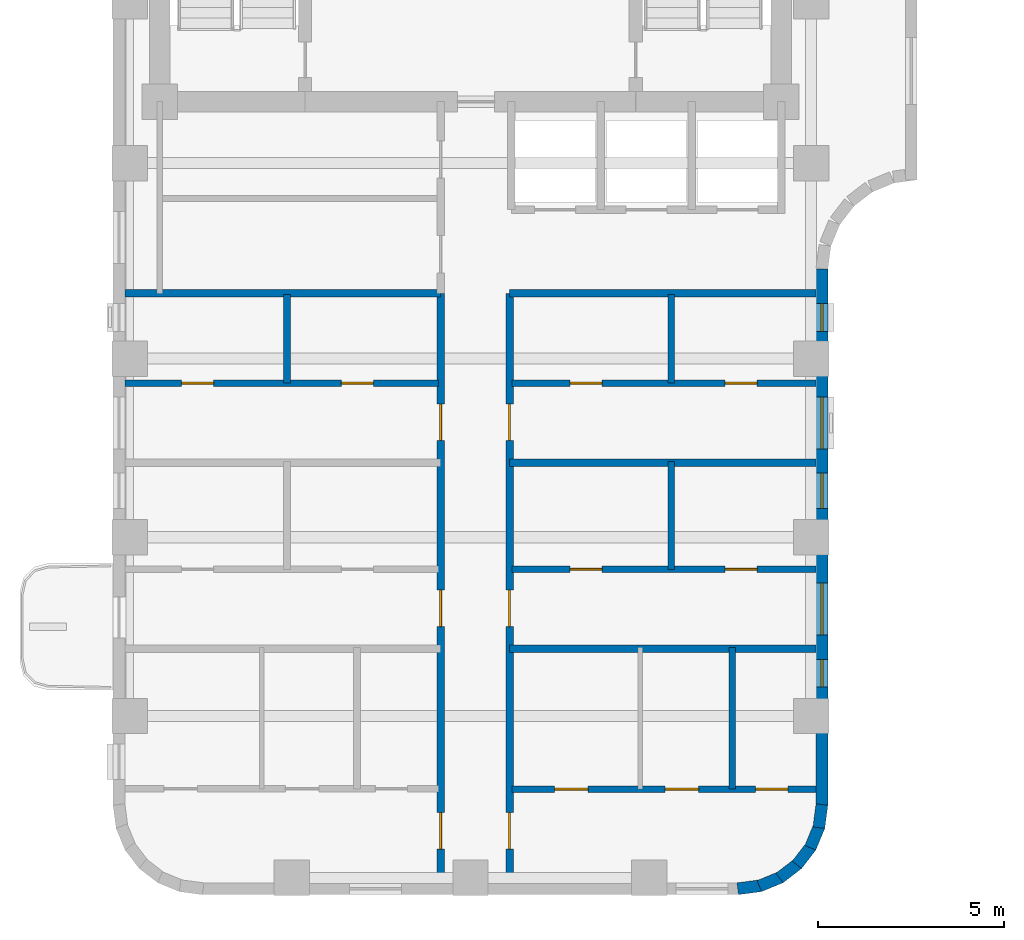
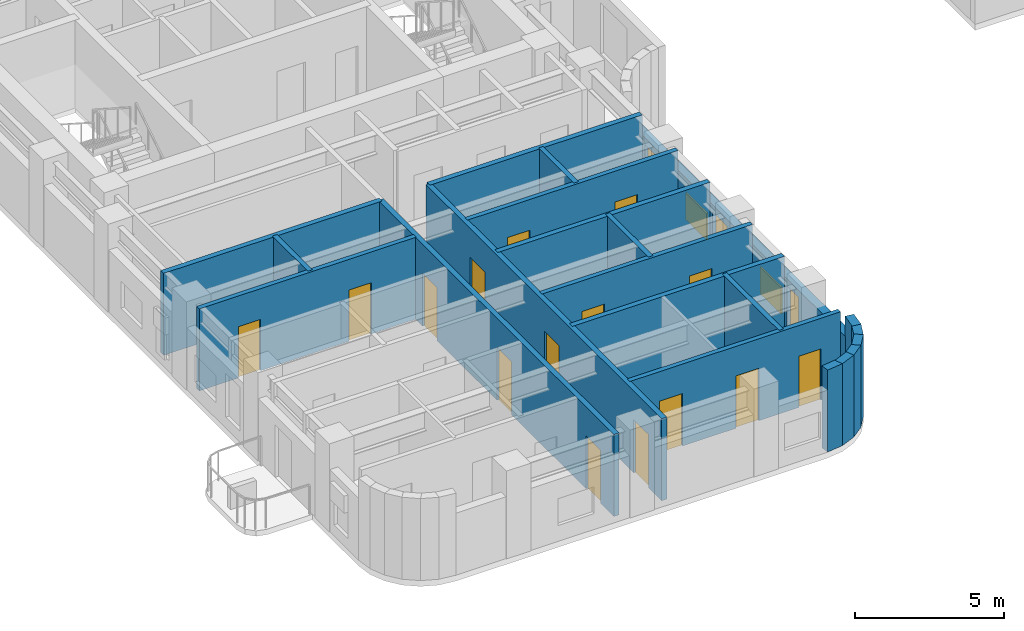
# One storey, part 4 of 11: 21 walls, 15 doors, 5 windows, 20 openings.
"""IFC4 building model written with IfcOpenShell, lengths in metres."""

import ifcopenshell
import ifcopenshell.guid

model = None  # the IFC model being written
_history = None  # IfcOwnerHistory: only IFC2X3 demands one
_inside = {}  # id of a spatial element -> (the spatial element, [elements in it])
_under = {}  # id of a project, library or spatial element -> (it, [spatial elements below it])
_declared = {}  # id of a project -> (the project, [libraries it declares])
_typed = {}  # id of a type object -> (the type object, [elements of that type])
_made_of = {}  # id of a material, layer set ... -> (it, [elements and type objects made of it])


def new_model(schema):
    """Start an empty IFC model of exactly this schema.

    Asked for "IFC4X3", IfcOpenShell would pick the latest addendum, in which some entities
    have other attributes; the version numbers below select the first issue.
    IFC2X3 requires an IfcOwnerHistory on every rooted entity: one is made here for all.
    """
    global model, _history
    if schema == "IFC4X3":
        model = ifcopenshell.file(schema_version=(4, 3, 0, 0))
    else:
        model = ifcopenshell.file(schema=schema)
    _inside.clear()
    _under.clear()
    _declared.clear()
    _typed.clear()
    _made_of.clear()
    _history = None
    if model.schema == "IFC2X3":
        org = make("IfcOrganization", Name="unknown")
        user = make(
            "IfcPersonAndOrganization",
            ThePerson=make("IfcPerson", FamilyName="unknown"),
            TheOrganization=org,
        )
        app = make(
            "IfcApplication",
            ApplicationDeveloper=org,
            Version="unknown",
            ApplicationFullName="unknown",
            ApplicationIdentifier="unknown",
        )
        _history = make(
            "IfcOwnerHistory",
            OwningUser=user,
            OwningApplication=app,
            ChangeAction="ADDED",
            CreationDate=0,
        )
    return model


def make(cls, **values):
    """One entity of the class cls with the attributes given. An attribute that is None is left unset."""
    return model.create_entity(
        cls, **{name: value for name, value in values.items() if value is not None}
    )


def rooted(cls, **values):
    """An entity with a GlobalId (a new one), such as an element, a storey or a relation."""
    return make(cls, GlobalId=ifcopenshell.guid.new(), OwnerHistory=_history, **values)


def si_unit(unit_type, name, prefix=None):
    """IfcSIUnit, for example si_unit("LENGTHUNIT", "METRE", prefix="MILLI")."""
    return make("IfcSIUnit", UnitType=unit_type, Prefix=prefix, Name=name)


def assignment(units):
    """IfcUnitAssignment: the units of a project."""
    return None if units is None else make("IfcUnitAssignment", Units=units)


def point(xyz):
    """IfcCartesianPoint."""
    return None if xyz is None else make("IfcCartesianPoint", Coordinates=xyz)


def direction(xyz):
    """IfcDirection."""
    return None if xyz is None else make("IfcDirection", DirectionRatios=xyz)


def frame(location, z_axis=None, x_axis=None):
    """IfcAxis2Placement3D, a coordinate frame: its origin and axes. An axis left out is left unset."""
    return make(
        "IfcAxis2Placement3D",
        Location=point(location),
        Axis=direction(z_axis),
        RefDirection=direction(x_axis),
    )


def frame_2d(location, x_axis=None):
    """IfcAxis2Placement2D, a coordinate frame in the plane: its origin and x axis."""
    return make(
        "IfcAxis2Placement2D", Location=point(location), RefDirection=direction(x_axis)
    )


def origin():
    """The frame at (0, 0, 0) with its axes left unset."""
    return frame((0.0, 0.0, 0.0))


def place(relative_to, where):
    """IfcLocalPlacement: puts the frame where relative to a parent placement (None: the world)."""
    return make(
        "IfcLocalPlacement", PlacementRelTo=relative_to, RelativePlacement=where
    )


def context(
    kind, dimensions, precision=None, world=None, true_north=None, identifier=None
):
    """IfcGeometricRepresentationContext, for example the 3D "Model" context."""
    return make(
        "IfcGeometricRepresentationContext",
        ContextIdentifier=identifier,
        ContextType=kind,
        CoordinateSpaceDimension=dimensions,
        Precision=precision,
        WorldCoordinateSystem=world,
        TrueNorth=true_north,
    )


def subcontext(parent, identifier, kind, view, scale=None):
    """IfcGeometricRepresentationSubContext, for example "Body" below "Model"."""
    return make(
        "IfcGeometricRepresentationSubContext",
        ContextIdentifier=identifier,
        ContextType=kind,
        ParentContext=parent,
        TargetScale=scale,
        TargetView=view,
    )


def project(units=None, contexts=None):
    """IfcProject with its units and contexts."""
    return rooted(
        "IfcProject",
        Name="project",
        RepresentationContexts=contexts,
        UnitsInContext=assignment(units),
    )


def spatial(cls, under=None, at=None, **own):
    """A site, building, storey or space (cls), placed at a placement, below another one or the project."""
    s = rooted(cls, ObjectPlacement=at, **own)
    if under is not None:
        _under.setdefault(under.id(), (under, []))[1].append(s)
    return s


def profile(cls, at=None, kind="AREA", **sizes):
    """A parametric profile (cls). Its sizes go by their IFC names, for example OverallWidth=200.0."""
    return make(cls, ProfileType=kind, Position=at, **sizes)


def rectangle(**sizes):
    """IfcRectangleProfileDef."""
    return profile("IfcRectangleProfileDef", **sizes)


def extrude(swept, where, along, depth):
    """IfcExtrudedAreaSolid: the profile swept, set in the frame where, extruded along a direction by depth."""
    return make(
        "IfcExtrudedAreaSolid",
        SweptArea=swept,
        Position=where,
        ExtrudedDirection=direction(along),
        Depth=depth,
    )


def shape(context_of_items, identifier, shape_type, items):
    """IfcShapeRepresentation: the items that make up one representation, for example the "Body"."""
    return make(
        "IfcShapeRepresentation",
        ContextOfItems=context_of_items,
        RepresentationIdentifier=identifier,
        RepresentationType=shape_type,
        Items=items,
    )


def material(Name=None, Category=None):
    """IfcMaterial."""
    return make("IfcMaterial", Name=Name, Category=Category)


def layer(
    of_material, thickness, ventilated=None, Name=None, Category=None, Priority=None
):
    """IfcMaterialLayer: one layer of a wall or slab, of a material (None: an air gap)."""
    return make(
        "IfcMaterialLayer",
        Material=of_material,
        LayerThickness=thickness,
        IsVentilated=ventilated,
        Name=Name,
        Category=Category,
        Priority=Priority,
    )


def layer_set(layers, Name=None):
    """IfcMaterialLayerSet."""
    return make("IfcMaterialLayerSet", MaterialLayers=layers, LayerSetName=Name)


def made_of(thing, what):
    """Note that an element or type object is made of a material, layer set ...; save() writes the relation."""
    if what is not None:
        _made_of.setdefault(what.id(), (what, []))[1].append(thing)
    return thing


def type_object(cls, material=None, **own):
    """A type object (cls), such as IfcWallType, which elements share."""
    return made_of(rooted(cls, **own), material)


def element(
    cls,
    number,
    at=None,
    inside=None,
    cuts=None,
    type_object=None,
    material=None,
    context=None,
    identifier="Body",
    shape_type=None,
    held_by="IfcProductDefinitionShape",
    body=None,
    shapes=None,
    **own,
):
    """One element of the class cls, such as IfcWall. Its Tag is "e" and its number.

    at: its placement. inside: the storey or other place that contains it. cuts: it is an
    opening in that element (IfcRelVoidsElement). A single representation is given by context,
    identifier, shape_type and body (its items); several are given by shapes. held_by: the class
    of the entity that holds the representations. save() writes the other relations.
    """
    e = rooted(cls, Tag="e%d" % number, ObjectPlacement=at, **own)
    if body is not None:
        shapes = [shape(context, identifier, shape_type, body)]
    if shapes is not None:
        e.Representation = make(held_by, Representations=shapes)
    if inside is not None:
        _inside.setdefault(inside.id(), (inside, []))[1].append(e)
    if cuts is not None:
        rooted(
            "IfcRelVoidsElement", RelatingBuildingElement=cuts, RelatedOpeningElement=e
        )
    if type_object is not None:
        _typed.setdefault(type_object.id(), (type_object, []))[1].append(e)
    return made_of(e, material)


def fill(opening, filler):
    """IfcRelFillsElement: the door or window that sits in an opening."""
    return rooted(
        "IfcRelFillsElement",
        RelatingOpeningElement=opening,
        RelatedBuildingElement=filler,
    )


def aggregate(whole, parts):
    """IfcRelAggregates: a whole, such as a stair, and the parts it consists of."""
    return rooted("IfcRelAggregates", RelatingObject=whole, RelatedObjects=parts)


def save(model, path):
    """Write the relations noted so far, then the file.

    IfcRelAggregates (storeys below a building ...), IfcRelContainedInSpatialStructure (elements
    in a storey), IfcRelDefinesByType, IfcRelAssociatesMaterial and IfcRelDeclares: one each for
    every whole, place, type object, material and project.
    """
    for whole, parts in _under.values():
        aggregate(whole, parts)
    for where, things in _inside.values():
        rooted(
            "IfcRelContainedInSpatialStructure",
            RelatedElements=things,
            RelatingStructure=where,
        )
    for kind, things in _typed.values():
        rooted("IfcRelDefinesByType", RelatedObjects=things, RelatingType=kind)
    for what, things in _made_of.values():
        rooted("IfcRelAssociatesMaterial", RelatedObjects=things, RelatingMaterial=what)
    for by, libraries in _declared.values():
        rooted("IfcRelDeclares", RelatingContext=by, RelatedDefinitions=libraries)
    model.write(path)


model = new_model("IFC4")

# Units and contexts
model_context = context("Model", 3, precision=1e-05, world=origin(), true_north=direction((0.0, 1.0)))
body_context = subcontext(model_context, "Body", "Model", "MODEL_VIEW")
ifc_project = project(units=[si_unit("LENGTHUNIT", "METRE"), si_unit("AREAUNIT", "SQUARE_METRE"), si_unit("VOLUMEUNIT", "CUBIC_METRE"), si_unit("PLANEANGLEUNIT", "RADIAN"), si_unit("MASSUNIT", "GRAM", prefix="KILO")], contexts=[model_context])

# Site, building, storey
site_placement = place(None, origin())
site = spatial("IfcSite", under=ifc_project, at=site_placement, CompositionType="ELEMENT")
building_placement = place(site_placement, origin())
building = spatial("IfcBuilding", under=site, at=building_placement, Name="Orvandelia Arch Residences", CompositionType="ELEMENT")
storey_placement = place(building_placement, frame((0.0, 0.0, 172.0)))
storey = spatial("IfcBuildingStorey", under=building, at=storey_placement, Name="L45", CompositionType="ELEMENT", Elevation=172.0)

# Wall, openings, doors
ifc_material_1 = material(Name="Fire-Rated Corridor Partition")
ifc_layer_1 = layer(ifc_material_1, 0.199951171875, Name="Fire-Rated Corridor Partition")
ifc_layer_set_1 = layer_set([ifc_layer_1], Name="Fire-Rated Corridor Partition")
wall_type_1 = type_object("IfcWallType", Name="WL-CORR-200", PredefinedType="PARTITIONING", material=ifc_layer_set_1)
wall_1_placement = place(storey_placement, frame((13.60009765625, 9.919921875, 0.0), z_axis=(0.0, 0.0, 1.0), x_axis=(0.0, 1.0, 0.0)))
wall_1 = element("IfcWall", 1, at=wall_1_placement, inside=storey, type_object=wall_type_1, Name="Interior Partition Wall WL-L45-WC-W", PredefinedType="PARTITIONING", context=body_context, shape_type="SweptSolid", body=[
    extrude(rectangle(XDim=15.830078125, YDim=0.199951171875, at=frame_2d((7.9150390625, 0.0))), origin(), (0.0, 0.0, 1.0), 3.360107421875),
])
opening_1_placement = place(wall_1_placement, frame((0.902099609375, 0.0, 0.0)))
opening_1 = element("IfcOpeningElement", 2, at=opening_1_placement, cuts=wall_1, Name="Opening D1", PredefinedType="OPENING", context=body_context, shape_type="SweptSolid", body=[
    extrude(rectangle(XDim=0.97998046875, YDim=2.179931640625, at=frame_2d((0.489990234375, 1.08984375))), frame((0.0, 0.10986328125, 0.0), z_axis=(0.0, -1.0, 0.0), x_axis=(1.0, 0.0, 0.0)), (0.0, 0.0, 1.0), 0.219970703125),
])
opening_2_placement = place(wall_1_placement, frame((6.8798828125, 0.0, 0.0)))
opening_2 = element("IfcOpeningElement", 3, at=opening_2_placement, cuts=wall_1, Name="Opening D1", PredefinedType="OPENING", context=body_context, shape_type="SweptSolid", body=[
    extrude(rectangle(XDim=0.97998046875, YDim=2.179931640625, at=frame_2d((0.489990234375, 1.08984375))), frame((0.0, 0.10986328125, 0.0), z_axis=(0.0, -1.0, 0.0), x_axis=(1.0, 0.0, 0.0)), (0.0, 0.0, 1.0), 0.219970703125),
])
opening_3_placement = place(wall_1_placement, frame((11.8798828125, 0.0, 0.0)))
opening_3 = element("IfcOpeningElement", 4, at=opening_3_placement, cuts=wall_1, Name="Opening D1", PredefinedType="OPENING", context=body_context, shape_type="SweptSolid", body=[
    extrude(rectangle(XDim=0.97998046875, YDim=2.179931640625, at=frame_2d((0.489990234375, 1.08984375))), frame((0.0, 0.10986328125, 0.0), z_axis=(0.0, -1.0, 0.0), x_axis=(1.0, 0.0, 0.0)), (0.0, 0.0, 1.0), 0.219970703125),
])
ifc_material_2 = material(Name="Solid-Core Timber Acoustic Fire Door", Category="wood")
door_type_1 = type_object("IfcDoorType", Name="DR-ENT-980", OperationType="NOTDEFINED", PredefinedType="DOOR", material=ifc_material_2)
door_1_placement = place(opening_1_placement, origin())
door_1 = element("IfcDoor", 5, at=door_1_placement, inside=storey, type_object=door_type_1, Name="Unit L45-01 Entrance Door", OperationType="SINGLE_SWING_LEFT", OverallHeight=2.179931640625, OverallWidth=0.97998046875, PredefinedType="DOOR", context=body_context, shape_type="SweptSolid", body=[
    extrude(rectangle(XDim=0.97998046875, YDim=2.179931640625, at=frame_2d((0.489990234375, 1.08984375))), frame((0.0, 0.02490234375, 0.0), z_axis=(0.0, -1.0, 0.0), x_axis=(1.0, 0.0, 0.0)), (0.0, 0.0, 1.0), 0.050048828125),
])
fill(opening_1, door_1)
door_2_placement = place(opening_2_placement, origin())
door_2 = element("IfcDoor", 6, at=door_2_placement, inside=storey, type_object=door_type_1, Name="Unit L45-02 Entrance Door", OperationType="SINGLE_SWING_RIGHT", OverallHeight=2.179931640625, OverallWidth=0.97998046875, PredefinedType="DOOR", context=body_context, shape_type="SweptSolid", body=[
    extrude(rectangle(XDim=0.97998046875, YDim=2.179931640625, at=frame_2d((0.489990234375, 1.08984375))), frame((0.0, 0.02490234375, 0.0), z_axis=(0.0, -1.0, 0.0), x_axis=(1.0, 0.0, 0.0)), (0.0, 0.0, 1.0), 0.050048828125),
])
fill(opening_2, door_2)
door_3_placement = place(opening_3_placement, origin())
door_3 = element("IfcDoor", 7, at=door_3_placement, inside=storey, type_object=door_type_1, Name="Unit L45-03 Entrance Door", OperationType="SINGLE_SWING_LEFT", OverallHeight=2.179931640625, OverallWidth=0.97998046875, PredefinedType="DOOR", context=body_context, shape_type="SweptSolid", body=[
    extrude(rectangle(XDim=0.97998046875, YDim=2.179931640625, at=frame_2d((0.489990234375, 1.08984375))), frame((0.0, 0.02490234375, 0.0), z_axis=(0.0, -1.0, 0.0), x_axis=(1.0, 0.0, 0.0)), (0.0, 0.0, 1.0), 0.050048828125),
])
fill(opening_3, door_3)

wall_2_placement = place(storey_placement, frame((15.449951171875, 9.919921875, 0.0), z_axis=(0.0, 0.0, 1.0), x_axis=(0.0, 1.0, 0.0)))
wall_2 = element("IfcWall", 8, at=wall_2_placement, inside=storey, type_object=wall_type_1, Name="Interior Partition Wall WL-L45-WC-E", PredefinedType="PARTITIONING", context=body_context, shape_type="SweptSolid", body=[
    extrude(rectangle(XDim=15.830078125, YDim=0.199951171875, at=frame_2d((7.9150390625, 0.0))), origin(), (0.0, 0.0, 1.0), 3.360107421875),
])
opening_4_placement = place(wall_2_placement, frame((0.902099609375, 0.0, 0.0)))
opening_4 = element("IfcOpeningElement", 9, at=opening_4_placement, cuts=wall_2, Name="Opening D1", PredefinedType="OPENING", context=body_context, shape_type="SweptSolid", body=[
    extrude(rectangle(XDim=0.97998046875, YDim=2.179931640625, at=frame_2d((0.489990234375, 1.08984375))), frame((0.0, 0.10986328125, 0.0), z_axis=(0.0, -1.0, 0.0), x_axis=(1.0, 0.0, 0.0)), (0.0, 0.0, 1.0), 0.219970703125),
])
opening_5_placement = place(wall_2_placement, frame((6.8798828125, 0.0, 0.0)))
opening_5 = element("IfcOpeningElement", 10, at=opening_5_placement, cuts=wall_2, Name="Opening D1", PredefinedType="OPENING", context=body_context, shape_type="SweptSolid", body=[
    extrude(rectangle(XDim=0.97998046875, YDim=2.179931640625, at=frame_2d((0.489990234375, 1.08984375))), frame((0.0, 0.10986328125, 0.0), z_axis=(0.0, -1.0, 0.0), x_axis=(1.0, 0.0, 0.0)), (0.0, 0.0, 1.0), 0.219970703125),
])
opening_6_placement = place(wall_2_placement, frame((11.8798828125, 0.0, 0.0)))
opening_6 = element("IfcOpeningElement", 11, at=opening_6_placement, cuts=wall_2, Name="Opening D1", PredefinedType="OPENING", context=body_context, shape_type="SweptSolid", body=[
    extrude(rectangle(XDim=0.97998046875, YDim=2.179931640625, at=frame_2d((0.489990234375, 1.08984375))), frame((0.0, 0.10986328125, 0.0), z_axis=(0.0, -1.0, 0.0), x_axis=(1.0, 0.0, 0.0)), (0.0, 0.0, 1.0), 0.219970703125),
])
door_4_placement = place(opening_4_placement, origin())
door_4 = element("IfcDoor", 12, at=door_4_placement, inside=storey, type_object=door_type_1, Name="Unit L45-04 Entrance Door", OperationType="SINGLE_SWING_RIGHT", OverallHeight=2.179931640625, OverallWidth=0.97998046875, PredefinedType="DOOR", context=body_context, shape_type="SweptSolid", body=[
    extrude(rectangle(XDim=0.97998046875, YDim=2.179931640625, at=frame_2d((0.489990234375, 1.08984375))), frame((0.0, 0.02490234375, 0.0), z_axis=(0.0, -1.0, 0.0), x_axis=(1.0, 0.0, 0.0)), (0.0, 0.0, 1.0), 0.050048828125),
])
fill(opening_4, door_4)
door_5_placement = place(opening_5_placement, origin())
door_5 = element("IfcDoor", 13, at=door_5_placement, inside=storey, type_object=door_type_1, Name="Unit L45-05 Entrance Door", OperationType="SINGLE_SWING_LEFT", OverallHeight=2.179931640625, OverallWidth=0.97998046875, PredefinedType="DOOR", context=body_context, shape_type="SweptSolid", body=[
    extrude(rectangle(XDim=0.97998046875, YDim=2.179931640625, at=frame_2d((0.489990234375, 1.08984375))), frame((0.0, 0.02490234375, 0.0), z_axis=(0.0, -1.0, 0.0), x_axis=(1.0, 0.0, 0.0)), (0.0, 0.0, 1.0), 0.050048828125),
])
fill(opening_5, door_5)
door_6_placement = place(opening_6_placement, origin())
door_6 = element("IfcDoor", 14, at=door_6_placement, inside=storey, type_object=door_type_1, Name="Unit L45-06 Entrance Door", OperationType="SINGLE_SWING_RIGHT", OverallHeight=2.179931640625, OverallWidth=0.97998046875, PredefinedType="DOOR", context=body_context, shape_type="SweptSolid", body=[
    extrude(rectangle(XDim=0.97998046875, YDim=2.179931640625, at=frame_2d((0.489990234375, 1.08984375))), frame((0.0, 0.02490234375, 0.0), z_axis=(0.0, -1.0, 0.0), x_axis=(1.0, 0.0, 0.0)), (0.0, 0.0, 1.0), 0.050048828125),
])
fill(opening_6, door_6)

# Walls
wall_3_placement = place(storey_placement, frame((5.1201171875, 25.75, 0.0), z_axis=(0.0, 0.0, 1.0), x_axis=(1.0, 0.0, 0.0)))
element("IfcWall", 15, at=wall_3_placement, inside=storey, type_object=wall_type_1, Name="Interior Partition Wall WL-L45-WCLS-W", PredefinedType="PARTITIONING", context=body_context, shape_type="SweptSolid", body=[
    extrude(rectangle(XDim=8.47998046875, YDim=0.199951171875, at=frame_2d((4.239990234375, 0.0))), origin(), (0.0, 0.0, 1.0), 3.360107421875),
])
wall_4_placement = place(storey_placement, frame((15.449951171875, 25.75, 0.0), z_axis=(0.0, 0.0, 1.0), x_axis=(1.0, 0.0, 0.0)))
element("IfcWall", 16, at=wall_4_placement, inside=storey, type_object=wall_type_1, Name="Interior Partition Wall WL-L45-WCLS-E", PredefinedType="PARTITIONING", context=body_context, shape_type="SweptSolid", body=[
    extrude(rectangle(XDim=8.22998046875, YDim=0.199951171875, at=frame_2d((4.114990234375, 0.0))), origin(), (0.0, 0.0, 1.0), 3.360107421875),
])
ifc_material_3 = material(Name="Concrete C40/50", Category="concrete")
ifc_layer_2 = layer(ifc_material_3, 0.199951171875, Name="Concrete C40/50", Category="concrete")
ifc_layer_set_2 = layer_set([ifc_layer_2], Name="Concrete C40/50")
wall_type_2 = type_object("IfcWallType", Name="WL-DEM-200", PredefinedType="SOLIDWALL", material=ifc_layer_set_2)
for number, where, z_axis, x_axis, name in (
    (17, (15.449951171875, 16.199951171875, 0.0), (0.0, 0.0, 1.0), (1.0, 0.0, 0.0), "Interior Partition Wall WL-L45-DEM-WR-162"),
    (18, (15.449951171875, 21.199951171875, 0.0), (0.0, 0.0, 1.0), (1.0, 0.0, 0.0), "Interior Partition Wall WL-L45-DEM-WR-212"),
):
    element("IfcWall", number, at=place(storey_placement, frame(where, z_axis=z_axis, x_axis=x_axis)), inside=storey, type_object=wall_type_2, Name=name, PredefinedType="SOLIDWALL", context=body_context, shape_type="SweptSolid", body=[
        extrude(rectangle(XDim=8.22998046875, YDim=0.199951171875, at=frame_2d((4.114990234375, 0.0))), origin(), (0.0, 0.0, 1.0), 3.360107421875),
    ])

# Wall, openings, windows
ifc_material_4 = material(Name="Precast concrete C40/50", Category="concrete")
ifc_layer_3 = layer(ifc_material_4, 0.320068359375, Name="Precast concrete C40/50", Category="concrete")
ifc_layer_set_3 = layer_set([ifc_layer_3], Name="Precast concrete C40/50")
wall_type_3 = type_object("IfcWallType", Name="WL-EXT-STONE-320", PredefinedType="STANDARD", material=ifc_layer_set_3)
wall_5_placement = place(storey_placement, frame((23.840087890625, 26.39990234375, 0.0), z_axis=(0.0, 0.0, 1.0), x_axis=(0.0, -1.0, 0.0)))
wall_5 = element("IfcWall", 19, at=wall_5_placement, inside=storey, type_object=wall_type_3, Name="Coral-Limestone Precast Facade Wall L45-032", PredefinedType="STANDARD", context=body_context, shape_type="SweptSolid", body=[
    extrude(rectangle(XDim=14.39990234375, YDim=0.320068359375, at=frame_2d((7.199951171875, 0.0))), origin(), (0.0, 0.0, 1.0), 2.5400390625),
])
opening_7_placement = place(wall_5_placement, frame((8.429931640625, 0.0, 0.64990234375)))
opening_7 = element("IfcOpeningElement", 20, at=opening_7_placement, cuts=wall_5, Name="Opening W10", PredefinedType="OPENING", context=body_context, shape_type="SweptSolid", body=[
    extrude(rectangle(XDim=1.39990234375, YDim=1.10009765625, at=frame_2d((0.699951171875, 0.550048828125))), frame((0.0, 0.169921875, 0.0), z_axis=(0.0, -1.0, 0.0), x_axis=(1.0, 0.0, 0.0)), (0.0, 0.0, 1.0), 0.340087890625),
])
opening_8_placement = place(wall_5_placement, frame((3.429931640625, 0.0, 0.64990234375)))
opening_8 = element("IfcOpeningElement", 21, at=opening_8_placement, cuts=wall_5, Name="Opening W10", PredefinedType="OPENING", context=body_context, shape_type="SweptSolid", body=[
    extrude(rectangle(XDim=1.39990234375, YDim=1.10009765625, at=frame_2d((0.699951171875, 0.550048828125))), frame((0.0, 0.169921875, 0.0), z_axis=(0.0, -1.0, 0.0), x_axis=(1.0, 0.0, 0.0)), (0.0, 0.0, 1.0), 0.340087890625),
])
opening_9_placement = place(wall_5_placement, frame((10.4775390625, 0.0, 0.449951171875)))
opening_9 = element("IfcOpeningElement", 22, at=opening_9_placement, cuts=wall_5, Name="Opening W11", PredefinedType="OPENING", context=body_context, shape_type="SweptSolid", body=[
    extrude(rectangle(XDim=0.75, YDim=1.800048828125, at=frame_2d((0.375, 0.89990234375))), frame((0.0, 0.169921875, 0.0), z_axis=(0.0, -1.0, 0.0), x_axis=(1.0, 0.0, 0.0)), (0.0, 0.0, 1.0), 0.340087890625),
])
opening_10_placement = place(wall_5_placement, frame((5.4775390625, 0.0, 0.449951171875)))
opening_10 = element("IfcOpeningElement", 23, at=opening_10_placement, cuts=wall_5, Name="Opening W4", PredefinedType="OPENING", context=body_context, shape_type="SweptSolid", body=[
    extrude(rectangle(XDim=0.949951171875, YDim=1.800048828125, at=frame_2d((0.47509765625, 0.89990234375))), frame((0.0, 0.169921875, 0.0), z_axis=(0.0, -1.0, 0.0), x_axis=(1.0, 0.0, 0.0)), (0.0, 0.0, 1.0), 0.340087890625),
])
opening_11_placement = place(wall_5_placement, frame((0.91748046875, 0.0, 0.449951171875)))
opening_11 = element("IfcOpeningElement", 24, at=opening_11_placement, cuts=wall_5, Name="Opening W11", PredefinedType="OPENING", context=body_context, shape_type="SweptSolid", body=[
    extrude(rectangle(XDim=0.75, YDim=1.800048828125, at=frame_2d((0.375, 0.89990234375))), frame((0.0, 0.169921875, 0.0), z_axis=(0.0, -1.0, 0.0), x_axis=(1.0, 0.0, 0.0)), (0.0, 0.0, 1.0), 0.340087890625),
])
ifc_material_5 = material(Name="Tempered Low-E Insulated Glazing", Category="glass")
window_type_1 = type_object("IfcWindowType", Name="WIN-BED-0750x1800", PartitioningType="SINGLE_PANEL", PredefinedType="WINDOW", material=ifc_material_5)
window_1_placement = place(opening_9_placement, origin())
window_1 = element("IfcWindow", 25, at=window_1_placement, inside=storey, type_object=window_type_1, Name="Recessed Punched Window L45-019", OverallHeight=1.800048828125, OverallWidth=0.75, PartitioningType="SINGLE_PANEL", PredefinedType="WINDOW", context=body_context, shape_type="SweptSolid", body=[
    extrude(rectangle(XDim=0.75, YDim=1.800048828125, at=frame_2d((0.375, 0.89990234375))), frame((0.0, 0.030029296875, 0.0), z_axis=(0.0, -1.0, 0.0), x_axis=(1.0, 0.0, 0.0)), (0.0, 0.0, 1.0), 0.06005859375),
])
fill(opening_9, window_1)
window_2_placement = place(opening_11_placement, origin())
window_2 = element("IfcWindow", 26, at=window_2_placement, inside=storey, type_object=window_type_1, Name="Recessed Punched Window L45-021", OverallHeight=1.800048828125, OverallWidth=0.75, PartitioningType="SINGLE_PANEL", PredefinedType="WINDOW", context=body_context, shape_type="SweptSolid", body=[
    extrude(rectangle(XDim=0.75, YDim=1.800048828125, at=frame_2d((0.375, 0.89990234375))), frame((0.0, 0.030029296875, 0.0), z_axis=(0.0, -1.0, 0.0), x_axis=(1.0, 0.0, 0.0)), (0.0, 0.0, 1.0), 0.06005859375),
])
fill(opening_11, window_2)
window_type_2 = type_object("IfcWindowType", Name="WIN-CLR-1400x1100", PartitioningType="SINGLE_PANEL", PredefinedType="WINDOW", material=ifc_material_5)
window_3_placement = place(opening_7_placement, origin())
window_3 = element("IfcWindow", 27, at=window_3_placement, inside=storey, type_object=window_type_2, Name="Recessed Punched Window L45-017", OverallHeight=1.10009765625, OverallWidth=1.39990234375, PartitioningType="SINGLE_PANEL", PredefinedType="WINDOW", context=body_context, shape_type="SweptSolid", body=[
    extrude(rectangle(XDim=1.39990234375, YDim=1.10009765625, at=frame_2d((0.699951171875, 0.550048828125))), frame((0.0, 0.030029296875, 0.0), z_axis=(0.0, -1.0, 0.0), x_axis=(1.0, 0.0, 0.0)), (0.0, 0.0, 1.0), 0.06005859375),
])
fill(opening_7, window_3)
window_4_placement = place(opening_8_placement, origin())
window_4 = element("IfcWindow", 28, at=window_4_placement, inside=storey, type_object=window_type_2, Name="Recessed Punched Window L45-018", OverallHeight=1.10009765625, OverallWidth=1.39990234375, PartitioningType="SINGLE_PANEL", PredefinedType="WINDOW", context=body_context, shape_type="SweptSolid", body=[
    extrude(rectangle(XDim=1.39990234375, YDim=1.10009765625, at=frame_2d((0.699951171875, 0.550048828125))), frame((0.0, 0.030029296875, 0.0), z_axis=(0.0, -1.0, 0.0), x_axis=(1.0, 0.0, 0.0)), (0.0, 0.0, 1.0), 0.06005859375),
])
fill(opening_8, window_4)
window_type_3 = type_object("IfcWindowType", Name="WIN-RES-0950x1800", PartitioningType="SINGLE_PANEL", PredefinedType="WINDOW", material=ifc_material_5)
window_5_placement = place(opening_10_placement, origin())
window_5 = element("IfcWindow", 29, at=window_5_placement, inside=storey, type_object=window_type_3, Name="Recessed Punched Window L45-020", OverallHeight=1.800048828125, OverallWidth=0.949951171875, PartitioningType="SINGLE_PANEL", PredefinedType="WINDOW", context=body_context, shape_type="SweptSolid", body=[
    extrude(rectangle(XDim=0.949951171875, YDim=1.800048828125, at=frame_2d((0.47509765625, 0.89990234375))), frame((0.0, 0.030029296875, 0.0), z_axis=(0.0, -1.0, 0.0), x_axis=(1.0, 0.0, 0.0)), (0.0, 0.0, 1.0), 0.06005859375),
])
fill(opening_10, window_5)

# Walls
wall_6_placement = place(storey_placement, frame((23.84130859375, 12.02099609375, 0.0), z_axis=(0.0, 0.0, 1.0), x_axis=(-0.130504898859, -0.991447664465, 0.0)))
element("IfcWall", 30, at=wall_6_placement, inside=storey, type_object=wall_type_3, Name="Coral-Limestone Precast Facade Wall L45-033", PredefinedType="STANDARD", context=body_context, shape_type="SweptSolid", body=[
    extrude(rectangle(XDim=0.626708984375, YDim=0.320068359375, at=frame_2d((0.3134765625, 0.0))), origin(), (0.0, 0.0, 1.0), 3.360107421875),
])
for number, where, z_axis, x_axis, name in (
    (31, (23.7705078125, 11.43994140625, 0.0), (0.0, 0.0, 1.0), (-0.382650053678, -0.92389335771, 0.0), "Coral-Limestone Precast Facade Wall L45-034"),
    (32, (23.551513671875, 10.8974609375, 0.0), (0.0, 0.0, 1.0), (-0.608693302629, -0.793405610854, 0.0), "Coral-Limestone Precast Facade Wall L45-035"),
    (33, (23.19970703125, 10.4296875, 0.0), (0.0, 0.0, 1.0), (-0.793405610854, -0.608693302629, 0.0), "Coral-Limestone Precast Facade Wall L45-036"),
    (34, (22.73876953125, 10.0693359375, 0.0), (0.0, 0.0, 1.0), (-0.92389335771, -0.382650053678, 0.0), "Coral-Limestone Precast Facade Wall L45-037"),
    (35, (22.2001953125, 9.84033203125, 0.0), (0.0, 0.0, 1.0), (-0.9914410257, -0.130555323746, 0.0), "Coral-Limestone Precast Facade Wall L45-038"),
):
    element("IfcWall", number, at=place(storey_placement, frame(where, z_axis=z_axis, x_axis=x_axis)), inside=storey, type_object=wall_type_3, Name=name, PredefinedType="STANDARD", context=body_context, shape_type="SweptSolid", body=[
        extrude(rectangle(XDim=0.62646484375, YDim=0.320068359375, at=frame_2d((0.313232421875, 0.0))), origin(), (0.0, 0.0, 1.0), 3.360107421875),
    ])

# Wall, openings, doors
ifc_material_6 = material(Name="Moisture-Resistant Plumbing Wall")
ifc_layer_4 = layer(ifc_material_6, 0.179931640625, Name="Moisture-Resistant Plumbing Wall")
ifc_layer_set_4 = layer_set([ifc_layer_4], Name="Moisture-Resistant Plumbing Wall")
wall_type_4 = type_object("IfcWallType", Name="WL-WET-180", PredefinedType="PLUMBINGWALL", material=ifc_layer_set_4)
wall_7_placement = place(storey_placement, frame((5.1201171875, 23.340087890625, 0.0), z_axis=(0.0, 0.0, 1.0), x_axis=(1.0, 0.0, 0.0)))
wall_7 = element("IfcWall", 36, at=wall_7_placement, inside=storey, type_object=wall_type_4, Name="Interior Partition Wall WL-L45-U03-HZ", PredefinedType="PLUMBINGWALL", context=body_context, shape_type="SweptSolid", body=[
    extrude(rectangle(XDim=8.419921875, YDim=0.179931640625, at=frame_2d((4.2099609375, 0.0))), origin(), (0.0, 0.0, 1.0), 3.360107421875),
])
opening_12_placement = place(wall_7_placement, frame((1.52001953125, 0.0, 0.0)))
opening_12 = element("IfcOpeningElement", 37, at=opening_12_placement, cuts=wall_7, Name="Opening D4", PredefinedType="OPENING", context=body_context, shape_type="SweptSolid", body=[
    extrude(rectangle(XDim=0.860107421875, YDim=2.10009765625, at=frame_2d((0.43017578125, 1.050048828125))), frame((0.0, 0.10009765625, 0.0), z_axis=(0.0, -1.0, 0.0), x_axis=(1.0, 0.0, 0.0)), (0.0, 0.0, 1.0), 0.199951171875),
])
opening_13_placement = place(wall_7_placement, frame((5.81005859375, 0.0, 0.0)))
opening_13 = element("IfcOpeningElement", 38, at=opening_13_placement, cuts=wall_7, Name="Opening D4", PredefinedType="OPENING", context=body_context, shape_type="SweptSolid", body=[
    extrude(rectangle(XDim=0.860107421875, YDim=2.10009765625, at=frame_2d((0.43017578125, 1.050048828125))), frame((0.0, 0.10009765625, 0.0), z_axis=(0.0, -1.0, 0.0), x_axis=(1.0, 0.0, 0.0)), (0.0, 0.0, 1.0), 0.199951171875),
])
ifc_material_7 = material(Name="Moisture-Sealed Timber Bathroom Door", Category="wood")
door_type_2 = type_object("IfcDoorType", Name="DR-WET-900", OperationType="NOTDEFINED", PredefinedType="DOOR", material=ifc_material_7)
door_7_placement = place(opening_12_placement, origin())
door_7 = element("IfcDoor", 39, at=door_7_placement, inside=storey, type_object=door_type_2, Name="DR-L45-U03-KIT", OperationType="SINGLE_SWING_LEFT", OverallHeight=2.10009765625, OverallWidth=0.860107421875, PredefinedType="DOOR", context=body_context, shape_type="SweptSolid", body=[
    extrude(rectangle(XDim=0.860107421875, YDim=2.10009765625, at=frame_2d((0.43017578125, 1.050048828125))), frame((0.0, 0.02490234375, 0.0), z_axis=(0.0, -1.0, 0.0), x_axis=(1.0, 0.0, 0.0)), (0.0, 0.0, 1.0), 0.050048828125),
])
fill(opening_12, door_7)
door_8_placement = place(opening_13_placement, origin())
door_8 = element("IfcDoor", 40, at=door_8_placement, inside=storey, type_object=door_type_2, Name="DR-L45-U03-BTH", OperationType="SINGLE_SWING_RIGHT", OverallHeight=2.10009765625, OverallWidth=0.860107421875, PredefinedType="DOOR", context=body_context, shape_type="SweptSolid", body=[
    extrude(rectangle(XDim=0.860107421875, YDim=2.10009765625, at=frame_2d((0.43017578125, 1.050048828125))), frame((0.0, 0.02490234375, 0.0), z_axis=(0.0, -1.0, 0.0), x_axis=(1.0, 0.0, 0.0)), (0.0, 0.0, 1.0), 0.050048828125),
])
fill(opening_13, door_8)

# Wall
wall_8_placement = place(storey_placement, frame((9.469970703125, 23.340087890625, 0.0), z_axis=(0.0, 0.0, 1.0), x_axis=(0.0, 1.0, 0.0)))
element("IfcWall", 41, at=wall_8_placement, inside=storey, type_object=wall_type_4, Name="Interior Partition Wall WL-L45-U03-V1", PredefinedType="PLUMBINGWALL", context=body_context, shape_type="SweptSolid", body=[
    extrude(rectangle(XDim=2.3798828125, YDim=0.179931640625, at=frame_2d((1.18994140625, 0.0))), origin(), (0.0, 0.0, 1.0), 3.360107421875),
])

# Wall, openings, doors
wall_9_placement = place(storey_placement, frame((15.510009765625, 12.43408203125, 0.0), z_axis=(0.0, 0.0, 1.0), x_axis=(1.0, 0.0, 0.0)))
wall_9 = element("IfcWall", 42, at=wall_9_placement, inside=storey, type_object=wall_type_4, Name="Interior Partition Wall WL-L45-U04-HZ", PredefinedType="PLUMBINGWALL", context=body_context, shape_type="SweptSolid", body=[
    extrude(rectangle(XDim=8.169921875, YDim=0.179931640625, at=frame_2d((4.0849609375, 0.0))), origin(), (0.0, 0.0, 1.0), 3.360107421875),
])
opening_14_placement = place(wall_9_placement, frame((1.153564453125, 0.0, 0.0)))
opening_14 = element("IfcOpeningElement", 43, at=opening_14_placement, cuts=wall_9, Name="Opening D3", PredefinedType="OPENING", context=body_context, shape_type="SweptSolid", body=[
    extrude(rectangle(XDim=0.89990234375, YDim=2.14990234375, at=frame_2d((0.449951171875, 1.074951171875))), frame((0.0, 0.10009765625, 0.0), z_axis=(0.0, -1.0, 0.0), x_axis=(1.0, 0.0, 0.0)), (0.0, 0.0, 1.0), 0.199951171875),
])
opening_15_placement = place(wall_9_placement, frame((4.116455078125, 0.0, 0.0)))
opening_15 = element("IfcOpeningElement", 44, at=opening_15_placement, cuts=wall_9, Name="Opening D3", PredefinedType="OPENING", context=body_context, shape_type="SweptSolid", body=[
    extrude(rectangle(XDim=0.89990234375, YDim=2.14990234375, at=frame_2d((0.449951171875, 1.074951171875))), frame((0.0, 0.10009765625, 0.0), z_axis=(0.0, -1.0, 0.0), x_axis=(1.0, 0.0, 0.0)), (0.0, 0.0, 1.0), 0.199951171875),
])
opening_16_placement = place(wall_9_placement, frame((6.552978515625, 0.0, 0.0)))
opening_16 = element("IfcOpeningElement", 45, at=opening_16_placement, cuts=wall_9, Name="Opening D4", PredefinedType="OPENING", context=body_context, shape_type="SweptSolid", body=[
    extrude(rectangle(XDim=0.860107421875, YDim=2.10009765625, at=frame_2d((0.43017578125, 1.050048828125))), frame((0.0, 0.10009765625, 0.0), z_axis=(0.0, -1.0, 0.0), x_axis=(1.0, 0.0, 0.0)), (0.0, 0.0, 1.0), 0.199951171875),
])
ifc_material_8 = material(Name="Engineered Timber Flush Door", Category="wood")
door_type_3 = type_object("IfcDoorType", Name="DR-INT-900", OperationType="NOTDEFINED", PredefinedType="DOOR", material=ifc_material_8)
door_9_placement = place(opening_14_placement, origin())
door_9 = element("IfcDoor", 46, at=door_9_placement, inside=storey, type_object=door_type_3, Name="DR-L45-U04-STDY", OperationType="SINGLE_SWING_RIGHT", OverallHeight=2.14990234375, OverallWidth=0.89990234375, PredefinedType="DOOR", context=body_context, shape_type="SweptSolid", body=[
    extrude(rectangle(XDim=0.89990234375, YDim=2.14990234375, at=frame_2d((0.449951171875, 1.074951171875))), frame((0.0, 0.02490234375, 0.0), z_axis=(0.0, -1.0, 0.0), x_axis=(1.0, 0.0, 0.0)), (0.0, 0.0, 1.0), 0.050048828125),
])
fill(opening_14, door_9)
door_10_placement = place(opening_15_placement, origin())
door_10 = element("IfcDoor", 47, at=door_10_placement, inside=storey, type_object=door_type_3, Name="DR-L45-U04-KIT", OperationType="SINGLE_SWING_LEFT", OverallHeight=2.14990234375, OverallWidth=0.89990234375, PredefinedType="DOOR", context=body_context, shape_type="SweptSolid", body=[
    extrude(rectangle(XDim=0.89990234375, YDim=2.14990234375, at=frame_2d((0.449951171875, 1.074951171875))), frame((0.0, 0.02490234375, 0.0), z_axis=(0.0, -1.0, 0.0), x_axis=(1.0, 0.0, 0.0)), (0.0, 0.0, 1.0), 0.050048828125),
])
fill(opening_15, door_10)
door_11_placement = place(opening_16_placement, origin())
door_11 = element("IfcDoor", 48, at=door_11_placement, inside=storey, type_object=door_type_2, Name="DR-L45-U04-BTH", OperationType="SINGLE_SWING_RIGHT", OverallHeight=2.10009765625, OverallWidth=0.860107421875, PredefinedType="DOOR", context=body_context, shape_type="SweptSolid", body=[
    extrude(rectangle(XDim=0.860107421875, YDim=2.10009765625, at=frame_2d((0.43017578125, 1.050048828125))), frame((0.0, 0.02490234375, 0.0), z_axis=(0.0, -1.0, 0.0), x_axis=(1.0, 0.0, 0.0)), (0.0, 0.0, 1.0), 0.050048828125),
])
fill(opening_16, door_11)

# Wall
wall_10_placement = place(storey_placement, frame((21.43603515625, 12.43408203125, 0.0), z_axis=(0.0, 0.0, 1.0), x_axis=(0.0, 1.0, 0.0)))
element("IfcWall", 49, at=wall_10_placement, inside=storey, type_object=wall_type_4, Name="Interior Partition Wall WL-L45-U04-V2", PredefinedType="PLUMBINGWALL", context=body_context, shape_type="SweptSolid", body=[
    extrude(rectangle(XDim=3.805908203125, YDim=0.179931640625, at=frame_2d((1.90283203125, 0.0))), origin(), (0.0, 0.0, 1.0), 3.360107421875),
])

# Wall, openings, doors
wall_11_placement = place(storey_placement, frame((15.510009765625, 18.340087890625, 0.0), z_axis=(0.0, 0.0, 1.0), x_axis=(1.0, 0.0, 0.0)))
wall_11 = element("IfcWall", 50, at=wall_11_placement, inside=storey, type_object=wall_type_4, Name="Interior Partition Wall WL-L45-U05-HZ", PredefinedType="PLUMBINGWALL", context=body_context, shape_type="SweptSolid", body=[
    extrude(rectangle(XDim=8.169921875, YDim=0.179931640625, at=frame_2d((4.0849609375, 0.0))), origin(), (0.0, 0.0, 1.0), 3.360107421875),
])
opening_17_placement = place(wall_11_placement, frame((1.56494140625, 0.0, 0.0)))
opening_17 = element("IfcOpeningElement", 51, at=opening_17_placement, cuts=wall_11, Name="Opening D4", PredefinedType="OPENING", context=body_context, shape_type="SweptSolid", body=[
    extrude(rectangle(XDim=0.860107421875, YDim=2.10009765625, at=frame_2d((0.43017578125, 1.050048828125))), frame((0.0, 0.10009765625, 0.0), z_axis=(0.0, -1.0, 0.0), x_axis=(1.0, 0.0, 0.0)), (0.0, 0.0, 1.0), 0.199951171875),
])
opening_18_placement = place(wall_11_placement, frame((5.72998046875, 0.0, 0.0)))
opening_18 = element("IfcOpeningElement", 52, at=opening_18_placement, cuts=wall_11, Name="Opening D4", PredefinedType="OPENING", context=body_context, shape_type="SweptSolid", body=[
    extrude(rectangle(XDim=0.860107421875, YDim=2.10009765625, at=frame_2d((0.43017578125, 1.050048828125))), frame((0.0, 0.10009765625, 0.0), z_axis=(0.0, -1.0, 0.0), x_axis=(1.0, 0.0, 0.0)), (0.0, 0.0, 1.0), 0.199951171875),
])
door_12_placement = place(opening_17_placement, origin())
door_12 = element("IfcDoor", 53, at=door_12_placement, inside=storey, type_object=door_type_2, Name="DR-L45-U05-KIT", OperationType="SINGLE_SWING_LEFT", OverallHeight=2.10009765625, OverallWidth=0.860107421875, PredefinedType="DOOR", context=body_context, shape_type="SweptSolid", body=[
    extrude(rectangle(XDim=0.860107421875, YDim=2.10009765625, at=frame_2d((0.43017578125, 1.050048828125))), frame((0.0, 0.02490234375, 0.0), z_axis=(0.0, -1.0, 0.0), x_axis=(1.0, 0.0, 0.0)), (0.0, 0.0, 1.0), 0.050048828125),
])
fill(opening_17, door_12)
door_13_placement = place(opening_18_placement, origin())
door_13 = element("IfcDoor", 54, at=door_13_placement, inside=storey, type_object=door_type_2, Name="DR-L45-U05-BTH", OperationType="SINGLE_SWING_RIGHT", OverallHeight=2.10009765625, OverallWidth=0.860107421875, PredefinedType="DOOR", context=body_context, shape_type="SweptSolid", body=[
    extrude(rectangle(XDim=0.860107421875, YDim=2.10009765625, at=frame_2d((0.43017578125, 1.050048828125))), frame((0.0, 0.02490234375, 0.0), z_axis=(0.0, -1.0, 0.0), x_axis=(1.0, 0.0, 0.0)), (0.0, 0.0, 1.0), 0.050048828125),
])
fill(opening_18, door_13)

# Wall
wall_12_placement = place(storey_placement, frame((19.7900390625, 18.340087890625, 0.0), z_axis=(0.0, 0.0, 1.0), x_axis=(0.0, 1.0, 0.0)))
element("IfcWall", 55, at=wall_12_placement, inside=storey, type_object=wall_type_4, Name="Interior Partition Wall WL-L45-U05-V1", PredefinedType="PLUMBINGWALL", context=body_context, shape_type="SweptSolid", body=[
    extrude(rectangle(XDim=2.89990234375, YDim=0.179931640625, at=frame_2d((1.449951171875, 0.0))), origin(), (0.0, 0.0, 1.0), 3.360107421875),
])

# Wall, openings, doors
wall_13_placement = place(storey_placement, frame((15.510009765625, 23.340087890625, 0.0), z_axis=(0.0, 0.0, 1.0), x_axis=(1.0, 0.0, 0.0)))
wall_13 = element("IfcWall", 56, at=wall_13_placement, inside=storey, type_object=wall_type_4, Name="Interior Partition Wall WL-L45-U06-HZ", PredefinedType="PLUMBINGWALL", context=body_context, shape_type="SweptSolid", body=[
    extrude(rectangle(XDim=8.169921875, YDim=0.179931640625, at=frame_2d((4.0849609375, 0.0))), origin(), (0.0, 0.0, 1.0), 3.360107421875),
])
opening_19_placement = place(wall_13_placement, frame((1.56494140625, 0.0, 0.0)))
opening_19 = element("IfcOpeningElement", 57, at=opening_19_placement, cuts=wall_13, Name="Opening D4", PredefinedType="OPENING", context=body_context, shape_type="SweptSolid", body=[
    extrude(rectangle(XDim=0.860107421875, YDim=2.10009765625, at=frame_2d((0.43017578125, 1.050048828125))), frame((0.0, 0.10009765625, 0.0), z_axis=(0.0, -1.0, 0.0), x_axis=(1.0, 0.0, 0.0)), (0.0, 0.0, 1.0), 0.199951171875),
])
opening_20_placement = place(wall_13_placement, frame((5.72998046875, 0.0, 0.0)))
opening_20 = element("IfcOpeningElement", 58, at=opening_20_placement, cuts=wall_13, Name="Opening D4", PredefinedType="OPENING", context=body_context, shape_type="SweptSolid", body=[
    extrude(rectangle(XDim=0.860107421875, YDim=2.10009765625, at=frame_2d((0.43017578125, 1.050048828125))), frame((0.0, 0.10009765625, 0.0), z_axis=(0.0, -1.0, 0.0), x_axis=(1.0, 0.0, 0.0)), (0.0, 0.0, 1.0), 0.199951171875),
])
door_14_placement = place(opening_19_placement, origin())
door_14 = element("IfcDoor", 59, at=door_14_placement, inside=storey, type_object=door_type_2, Name="DR-L45-U06-KIT", OperationType="SINGLE_SWING_RIGHT", OverallHeight=2.10009765625, OverallWidth=0.860107421875, PredefinedType="DOOR", context=body_context, shape_type="SweptSolid", body=[
    extrude(rectangle(XDim=0.860107421875, YDim=2.10009765625, at=frame_2d((0.43017578125, 1.050048828125))), frame((0.0, 0.02490234375, 0.0), z_axis=(0.0, -1.0, 0.0), x_axis=(1.0, 0.0, 0.0)), (0.0, 0.0, 1.0), 0.050048828125),
])
fill(opening_19, door_14)
door_15_placement = place(opening_20_placement, origin())
door_15 = element("IfcDoor", 60, at=door_15_placement, inside=storey, type_object=door_type_2, Name="DR-L45-U06-BTH", OperationType="SINGLE_SWING_LEFT", OverallHeight=2.10009765625, OverallWidth=0.860107421875, PredefinedType="DOOR", context=body_context, shape_type="SweptSolid", body=[
    extrude(rectangle(XDim=0.860107421875, YDim=2.10009765625, at=frame_2d((0.43017578125, 1.050048828125))), frame((0.0, 0.02490234375, 0.0), z_axis=(0.0, -1.0, 0.0), x_axis=(1.0, 0.0, 0.0)), (0.0, 0.0, 1.0), 0.050048828125),
])
fill(opening_20, door_15)

# Wall
wall_14_placement = place(storey_placement, frame((19.7900390625, 23.340087890625, 0.0), z_axis=(0.0, 0.0, 1.0), x_axis=(0.0, 1.0, 0.0)))
element("IfcWall", 61, at=wall_14_placement, inside=storey, type_object=wall_type_4, Name="Interior Partition Wall WL-L45-U06-V1", PredefinedType="PLUMBINGWALL", context=body_context, shape_type="SweptSolid", body=[
    extrude(rectangle(XDim=2.3798828125, YDim=0.179931640625, at=frame_2d((1.18994140625, 0.0))), origin(), (0.0, 0.0, 1.0), 3.360107421875),
])

save(model, "model.ifc")
